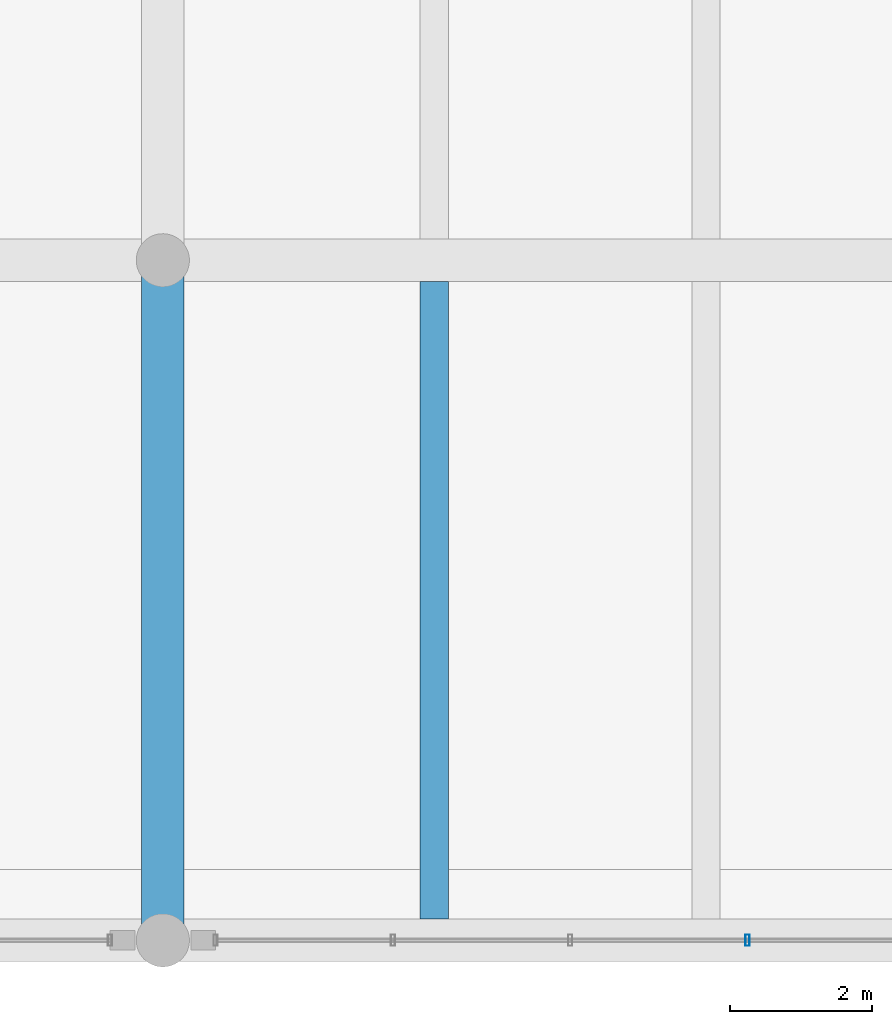
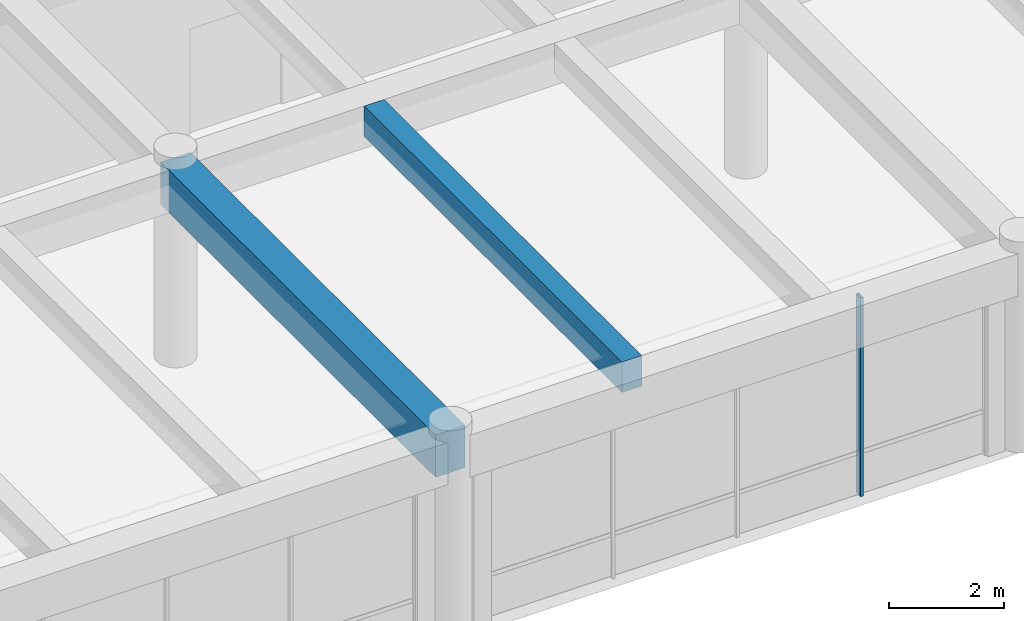
# One storey, part 31 of 154: 2 beams, 1 member, 1 element without a shape of its own.
"""IFC4 building model written with IfcOpenShell, lengths in metres."""

from ifc_helpers import new_model, si_unit, direction, frame, origin, origin_2d, place, context, subcontext, project, spatial, rectangle, hollow_rectangle, extrude, material, material_profile, profile_set, type_object, element, aggregate, save


model = new_model("IFC4")

# Units and contexts
model_context = context("Model", 3, precision=1e-05, world=origin(), true_north=direction((0.0, 1.0)))
body_context = subcontext(model_context, "Body", "Model", "MODEL_VIEW")
ifc_project = project(units=[si_unit("LENGTHUNIT", "METRE"), si_unit("AREAUNIT", "SQUARE_METRE"), si_unit("VOLUMEUNIT", "CUBIC_METRE"), si_unit("PLANEANGLEUNIT", "RADIAN"), si_unit("MASSUNIT", "GRAM", prefix="KILO")], contexts=[model_context])

# Site, building, storey
site_placement = place(None, origin())
site = spatial("IfcSite", under=ifc_project, at=site_placement, CompositionType="ELEMENT")
building_placement = place(site_placement, origin())
building = spatial("IfcBuilding", under=site, at=building_placement, Name="Ologun Quay Terminus", CompositionType="ELEMENT")
storey_placement = place(building_placement, frame((0.0, 0.0, 13.800048828125)))
storey = spatial("IfcBuildingStorey", under=building, at=storey_placement, Name="L03", CompositionType="ELEMENT", Elevation=13.800048828125)

# Curtain wall, member
ifc_material_1 = material(Name="Aluminium 6063-T6", Category="aluminium")
curtain_wall_type = type_object("IfcCurtainWallType", Name="South Pavilion Reading Hall Curtain Wall 10700x4150", PredefinedType="USERDEFINED", material=ifc_material_1)
curtain_wall_placement = place(storey_placement, origin())
curtain_wall = element("IfcCurtainWall", 1, at=curtain_wall_placement, inside=storey, type_object=curtain_wall_type, Name="CW-06 Curtain Wall CW-L03-036", ObjectType="UNITISED CURTAIN WALL", PredefinedType="USERDEFINED")
ifc_material_2 = material(Name="Aluminium 6063-T6", Category="aluminium")
ifc_material_profile_1 = material_profile(ifc_material_2, hollow_rectangle(XDim=0.06005859375, YDim=0.159912109375, WallThickness=0.00390625, at=origin_2d()), Name="ALU 160x60x4")
ifc_profile_set_1 = profile_set([ifc_material_profile_1], Name="Aluminium 6063-T6")
member_type = type_object("IfcMemberType", Name="Curtain Wall Standard Mullion 160x65", PredefinedType="MULLION", material=ifc_profile_set_1)
member_placement = place(storey_placement, frame((88.75244140625, 8.0, 0.0), z_axis=(0.0, 0.0, 1.0), x_axis=(1.0, 0.0, 0.0)))
member = element("IfcMember", 2, at=member_placement, type_object=member_type, Name="CW-L03-036 Mullion 4", PredefinedType="MULLION", context=body_context, shape_type="SweptSolid", body=[
    extrude(hollow_rectangle(XDim=0.06005859375, YDim=0.159912109375, WallThickness=0.00390625, at=origin_2d()), origin(), (0.0, 0.0, 1.0), 4.239990234375),
])
aggregate(curtain_wall, [member])

# Beams
ifc_material_3 = material(Name="Concrete C40/50", Category="concrete")
ifc_material_profile_2 = material_profile(ifc_material_3, rectangle(XDim=0.60009765625, YDim=0.89990234375, at=origin_2d()), Name="RC 600x900")
ifc_profile_set_2 = profile_set([ifc_material_profile_2], Name="Concrete C40/50")
beam_type_1 = type_object("IfcBeamType", Name="Station Frame Girder 600x900", PredefinedType="BEAM", material=ifc_profile_set_2)
beam_1_placement = place(storey_placement, frame((80.5, 8.0, 3.800048828125), z_axis=(0.0, 1.0, 0.0), x_axis=(-1.0, 0.0, 0.0)))
element("IfcBeam", 3, at=beam_1_placement, inside=storey, type_object=beam_type_1, Name="B3 Beam 8/B L03", PredefinedType="BEAM", context=body_context, shape_type="SweptSolid", body=[
    extrude(rectangle(XDim=0.60009765625, YDim=0.89990234375, at=origin_2d()), origin(), (0.0, 0.0, 1.0), 9.60009765625),
])
ifc_material_4 = material(Name="Concrete C40/50", Category="concrete")
ifc_material_profile_3 = material_profile(ifc_material_4, rectangle(XDim=0.39990234375, YDim=0.64990234375, at=origin_2d()), Name="RC 400x650")
ifc_profile_set_3 = profile_set([ifc_material_profile_3], Name="Concrete C40/50")
beam_type_2 = type_object("IfcBeamType", Name="Station Secondary Joist 400x650", PredefinedType="JOIST", material=ifc_profile_set_3)
beam_2_placement = place(storey_placement, frame((84.333251953125, 8.300048828125, 3.925048828125), z_axis=(0.0, 1.0, 0.0), x_axis=(-1.0, 0.0, 0.0)))
element("IfcBeam", 4, at=beam_2_placement, inside=storey, type_object=beam_type_2, Name="J1 Beam 8/B L03", PredefinedType="JOIST", context=body_context, shape_type="SweptSolid", body=[
    extrude(rectangle(XDim=0.39990234375, YDim=0.64990234375, at=origin_2d()), origin(), (0.0, 0.0, 1.0), 9.0),
])

save(model, "model.ifc")
